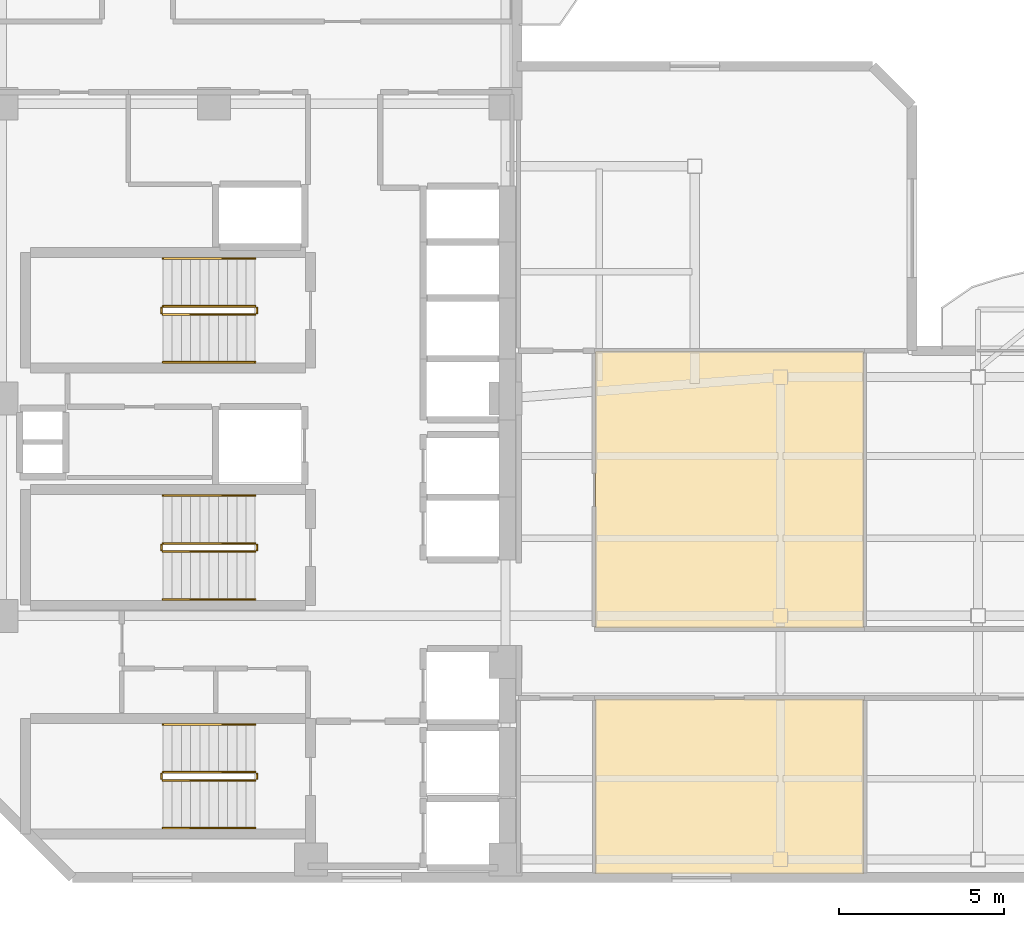
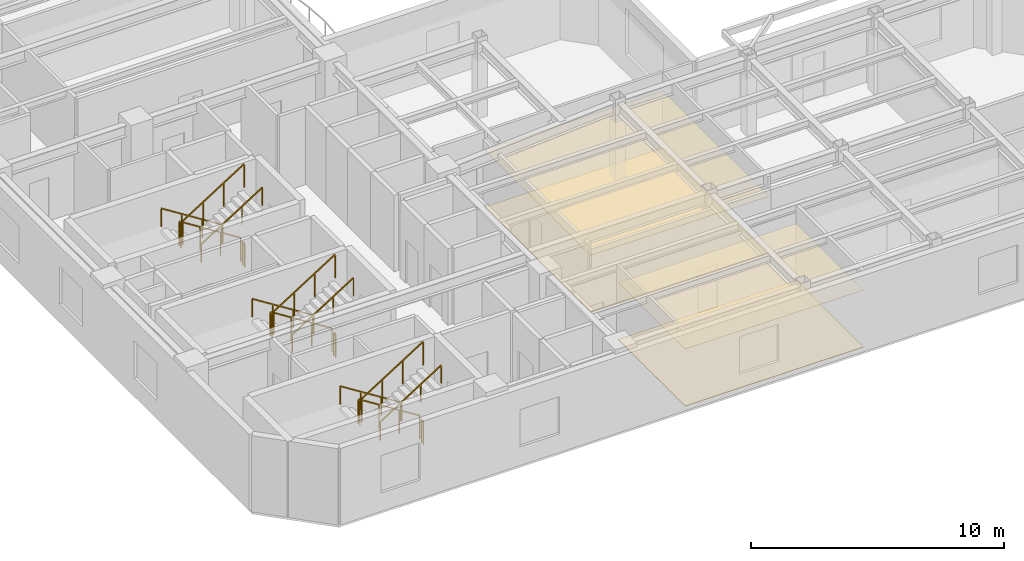
# One storey, part 7 of 9: 18 railings, 4 coverings.
"""IFC4 building model written with IfcOpenShell, lengths in metres."""

import ifcopenshell
import ifcopenshell.guid

model = None  # the IFC model being written
_history = None  # IfcOwnerHistory: only IFC2X3 demands one
_inside = {}  # id of a spatial element -> (the spatial element, [elements in it])
_under = {}  # id of a project, library or spatial element -> (it, [spatial elements below it])
_declared = {}  # id of a project -> (the project, [libraries it declares])
_typed = {}  # id of a type object -> (the type object, [elements of that type])
_made_of = {}  # id of a material, layer set ... -> (it, [elements and type objects made of it])


def new_model(schema):
    """Start an empty IFC model of exactly this schema.

    Asked for "IFC4X3", IfcOpenShell would pick the latest addendum, in which some entities
    have other attributes; the version numbers below select the first issue.
    IFC2X3 requires an IfcOwnerHistory on every rooted entity: one is made here for all.
    """
    global model, _history
    if schema == "IFC4X3":
        model = ifcopenshell.file(schema_version=(4, 3, 0, 0))
    else:
        model = ifcopenshell.file(schema=schema)
    _inside.clear()
    _under.clear()
    _declared.clear()
    _typed.clear()
    _made_of.clear()
    _history = None
    if model.schema == "IFC2X3":
        org = make("IfcOrganization", Name="unknown")
        user = make(
            "IfcPersonAndOrganization",
            ThePerson=make("IfcPerson", FamilyName="unknown"),
            TheOrganization=org,
        )
        app = make(
            "IfcApplication",
            ApplicationDeveloper=org,
            Version="unknown",
            ApplicationFullName="unknown",
            ApplicationIdentifier="unknown",
        )
        _history = make(
            "IfcOwnerHistory",
            OwningUser=user,
            OwningApplication=app,
            ChangeAction="ADDED",
            CreationDate=0,
        )
    return model


def make(cls, **values):
    """One entity of the class cls with the attributes given. An attribute that is None is left unset."""
    return model.create_entity(
        cls, **{name: value for name, value in values.items() if value is not None}
    )


def rooted(cls, **values):
    """An entity with a GlobalId (a new one), such as an element, a storey or a relation."""
    return make(cls, GlobalId=ifcopenshell.guid.new(), OwnerHistory=_history, **values)


def si_unit(unit_type, name, prefix=None):
    """IfcSIUnit, for example si_unit("LENGTHUNIT", "METRE", prefix="MILLI")."""
    return make("IfcSIUnit", UnitType=unit_type, Prefix=prefix, Name=name)


def assignment(units):
    """IfcUnitAssignment: the units of a project."""
    return None if units is None else make("IfcUnitAssignment", Units=units)


def point(xyz):
    """IfcCartesianPoint."""
    return None if xyz is None else make("IfcCartesianPoint", Coordinates=xyz)


def direction(xyz):
    """IfcDirection."""
    return None if xyz is None else make("IfcDirection", DirectionRatios=xyz)


def frame(location, z_axis=None, x_axis=None):
    """IfcAxis2Placement3D, a coordinate frame: its origin and axes. An axis left out is left unset."""
    return make(
        "IfcAxis2Placement3D",
        Location=point(location),
        Axis=direction(z_axis),
        RefDirection=direction(x_axis),
    )


def frame_2d(location, x_axis=None):
    """IfcAxis2Placement2D, a coordinate frame in the plane: its origin and x axis."""
    return make(
        "IfcAxis2Placement2D", Location=point(location), RefDirection=direction(x_axis)
    )


def origin():
    """The frame at (0, 0, 0) with its axes left unset."""
    return frame((0.0, 0.0, 0.0))


def origin_2d():
    """The frame at (0, 0) in the plane with its x axis left unset."""
    return frame_2d((0.0, 0.0))


def place(relative_to, where):
    """IfcLocalPlacement: puts the frame where relative to a parent placement (None: the world)."""
    return make(
        "IfcLocalPlacement", PlacementRelTo=relative_to, RelativePlacement=where
    )


def context(
    kind, dimensions, precision=None, world=None, true_north=None, identifier=None
):
    """IfcGeometricRepresentationContext, for example the 3D "Model" context."""
    return make(
        "IfcGeometricRepresentationContext",
        ContextIdentifier=identifier,
        ContextType=kind,
        CoordinateSpaceDimension=dimensions,
        Precision=precision,
        WorldCoordinateSystem=world,
        TrueNorth=true_north,
    )


def subcontext(parent, identifier, kind, view, scale=None):
    """IfcGeometricRepresentationSubContext, for example "Body" below "Model"."""
    return make(
        "IfcGeometricRepresentationSubContext",
        ContextIdentifier=identifier,
        ContextType=kind,
        ParentContext=parent,
        TargetScale=scale,
        TargetView=view,
    )


def project(units=None, contexts=None):
    """IfcProject with its units and contexts."""
    return rooted(
        "IfcProject",
        Name="project",
        RepresentationContexts=contexts,
        UnitsInContext=assignment(units),
    )


def spatial(cls, under=None, at=None, **own):
    """A site, building, storey or space (cls), placed at a placement, below another one or the project."""
    s = rooted(cls, ObjectPlacement=at, **own)
    if under is not None:
        _under.setdefault(under.id(), (under, []))[1].append(s)
    return s


def polyline(points):
    """IfcPolyline through the points."""
    return make("IfcPolyline", Points=[point(p) for p in points])


def profile(cls, at=None, kind="AREA", **sizes):
    """A parametric profile (cls). Its sizes go by their IFC names, for example OverallWidth=200.0."""
    return make(cls, ProfileType=kind, Position=at, **sizes)


def rectangle(**sizes):
    """IfcRectangleProfileDef."""
    return profile("IfcRectangleProfileDef", **sizes)


def outline(outer, holes=None, kind="AREA"):
    """IfcArbitraryClosedProfileDef: a profile drawn as a closed curve; with holes, ...WithVoids."""
    if holes is None:
        return make("IfcArbitraryClosedProfileDef", ProfileType=kind, OuterCurve=outer)
    return make(
        "IfcArbitraryProfileDefWithVoids",
        ProfileType=kind,
        OuterCurve=outer,
        InnerCurves=holes,
    )


def extrude(swept, where, along, depth):
    """IfcExtrudedAreaSolid: the profile swept, set in the frame where, extruded along a direction by depth."""
    return make(
        "IfcExtrudedAreaSolid",
        SweptArea=swept,
        Position=where,
        ExtrudedDirection=direction(along),
        Depth=depth,
    )


def shape(context_of_items, identifier, shape_type, items):
    """IfcShapeRepresentation: the items that make up one representation, for example the "Body"."""
    return make(
        "IfcShapeRepresentation",
        ContextOfItems=context_of_items,
        RepresentationIdentifier=identifier,
        RepresentationType=shape_type,
        Items=items,
    )


def material(Name=None, Category=None):
    """IfcMaterial."""
    return make("IfcMaterial", Name=Name, Category=Category)


def layer(
    of_material, thickness, ventilated=None, Name=None, Category=None, Priority=None
):
    """IfcMaterialLayer: one layer of a wall or slab, of a material (None: an air gap)."""
    return make(
        "IfcMaterialLayer",
        Material=of_material,
        LayerThickness=thickness,
        IsVentilated=ventilated,
        Name=Name,
        Category=Category,
        Priority=Priority,
    )


def layer_set(layers, Name=None):
    """IfcMaterialLayerSet."""
    return make("IfcMaterialLayerSet", MaterialLayers=layers, LayerSetName=Name)


def made_of(thing, what):
    """Note that an element or type object is made of a material, layer set ...; save() writes the relation."""
    if what is not None:
        _made_of.setdefault(what.id(), (what, []))[1].append(thing)
    return thing


def type_object(cls, material=None, **own):
    """A type object (cls), such as IfcWallType, which elements share."""
    return made_of(rooted(cls, **own), material)


def element(
    cls,
    number,
    at=None,
    inside=None,
    cuts=None,
    type_object=None,
    material=None,
    context=None,
    identifier="Body",
    shape_type=None,
    held_by="IfcProductDefinitionShape",
    body=None,
    shapes=None,
    **own,
):
    """One element of the class cls, such as IfcWall. Its Tag is "e" and its number.

    at: its placement. inside: the storey or other place that contains it. cuts: it is an
    opening in that element (IfcRelVoidsElement). A single representation is given by context,
    identifier, shape_type and body (its items); several are given by shapes. held_by: the class
    of the entity that holds the representations. save() writes the other relations.
    """
    e = rooted(cls, Tag="e%d" % number, ObjectPlacement=at, **own)
    if body is not None:
        shapes = [shape(context, identifier, shape_type, body)]
    if shapes is not None:
        e.Representation = make(held_by, Representations=shapes)
    if inside is not None:
        _inside.setdefault(inside.id(), (inside, []))[1].append(e)
    if cuts is not None:
        rooted(
            "IfcRelVoidsElement", RelatingBuildingElement=cuts, RelatedOpeningElement=e
        )
    if type_object is not None:
        _typed.setdefault(type_object.id(), (type_object, []))[1].append(e)
    return made_of(e, material)


def aggregate(whole, parts):
    """IfcRelAggregates: a whole, such as a stair, and the parts it consists of."""
    return rooted("IfcRelAggregates", RelatingObject=whole, RelatedObjects=parts)


def save(model, path):
    """Write the relations noted so far, then the file.

    IfcRelAggregates (storeys below a building ...), IfcRelContainedInSpatialStructure (elements
    in a storey), IfcRelDefinesByType, IfcRelAssociatesMaterial and IfcRelDeclares: one each for
    every whole, place, type object, material and project.
    """
    for whole, parts in _under.values():
        aggregate(whole, parts)
    for where, things in _inside.values():
        rooted(
            "IfcRelContainedInSpatialStructure",
            RelatedElements=things,
            RelatingStructure=where,
        )
    for kind, things in _typed.values():
        rooted("IfcRelDefinesByType", RelatedObjects=things, RelatingType=kind)
    for what, things in _made_of.values():
        rooted("IfcRelAssociatesMaterial", RelatedObjects=things, RelatingMaterial=what)
    for by, libraries in _declared.values():
        rooted("IfcRelDeclares", RelatingContext=by, RelatedDefinitions=libraries)
    model.write(path)


model = new_model("IFC4")

# Units and contexts
model_context = context("Model", 3, precision=1e-05, world=origin(), true_north=direction((0.0, 1.0)))
body_context = subcontext(model_context, "Body", "Model", "MODEL_VIEW")
ifc_project = project(units=[si_unit("LENGTHUNIT", "METRE"), si_unit("AREAUNIT", "SQUARE_METRE"), si_unit("VOLUMEUNIT", "CUBIC_METRE"), si_unit("PLANEANGLEUNIT", "RADIAN"), si_unit("MASSUNIT", "GRAM", prefix="KILO")], contexts=[model_context])

# Site, building, storey
site_placement = place(None, origin())
site = spatial("IfcSite", under=ifc_project, at=site_placement, CompositionType="ELEMENT")
building_placement = place(site_placement, origin())
building = spatial("IfcBuilding", under=site, at=building_placement, Name="Mawjaban Terraces University", CompositionType="ELEMENT")
storey_placement = place(building_placement, frame((0.0, 0.0, 175.800048828125)))
storey = spatial("IfcBuildingStorey", under=building, at=storey_placement, Name="L42", CompositionType="ELEMENT", Elevation=175.800048828125)

# Coverings
ifc_material_1 = material(Name="Acoustic mineral fibre ceiling tile", Category="masonry")
ifc_layer_1 = layer(ifc_material_1, 0.02001953125)
ifc_layer_set_1 = layer_set([ifc_layer_1], Name="Acoustic mineral fibre ceiling tile")
covering_type_1 = type_object("IfcCoveringType", Name="AcousticMineralCeiling_20", PredefinedType="CEILING", material=ifc_layer_set_1)
covering_1_placement = place(storey_placement, frame((0.0, 0.0, 2.75)))
element("IfcCovering", 1, at=covering_1_placement, inside=storey, type_object=covering_type_1, Name="L42 Seminar Room 2 Acoustic Ceiling", PredefinedType="CEILING", context=body_context, shape_type="SweptSolid", body=[
    extrude(outline(polyline([(40.3798828125, 0.114990234375), (48.52001953125, 0.114990234375), (48.52001953125, 5.419921875), (40.3798828125, 5.419921875), (40.3798828125, 0.114990234375)])), origin(), (0.0, 0.0, 1.0), 0.02001953125),
])
covering_2_placement = place(storey_placement, frame((0.0, 0.0, 2.75)))
element("IfcCovering", 2, at=covering_2_placement, inside=storey, type_object=covering_type_1, Name="L42 Classroom 3 Acoustic Ceiling", PredefinedType="CEILING", context=body_context, shape_type="SweptSolid", body=[
    extrude(outline(polyline([(48.52001953125, 7.580078125), (48.52001953125, 15.969970703125), (40.3798828125, 15.969970703125), (40.3798828125, 7.580078125), (48.52001953125, 7.580078125)])), origin(), (0.0, 0.0, 1.0), 0.02001953125),
])

# Railings
ifc_material_2 = material(Name="Brushed stainless steel 316", Category="steel")
railing_type_1 = type_object("IfcRailingType", Name="StairWallHandrail_900", PredefinedType="HANDRAIL", material=ifc_material_2)
railing_1_placement = place(storey_placement, frame((30.050048828125, 4.64990234375, 0.17724609375)))
element("IfcRailing", 3, at=railing_1_placement, inside=storey, type_object=railing_type_1, Name="L42 ST-1 stair handrail 1", PredefinedType="HANDRAIL", context=body_context, shape_type="SweptSolid", body=[
    extrude(rectangle(XDim=0.048095703125, YDim=0.048095703125, at=origin_2d()), frame((0.0, 0.0, 0.8759765625), z_axis=(-0.844908973607, 0.0, 0.534910110503), x_axis=(0.0, -1.0, 0.0)), (0.0, 0.0, 1.0), 3.31396484375),
    extrude(rectangle(XDim=0.0419921875, YDim=0.0419921875, at=origin_2d()), origin(), (0.0, 0.0, 1.0), 0.851806640625),
    extrude(rectangle(XDim=0.0419921875, YDim=0.0419921875, at=origin_2d()), frame((-0.933349609375, 0.0, 0.5908203125)), (0.0, 0.0, 1.0), 0.851806640625),
    extrude(rectangle(XDim=0.0419921875, YDim=0.0419921875, at=origin_2d()), frame((-1.86669921875, 0.0, 1.181884765625)), (0.0, 0.0, 1.0), 0.851806640625),
    extrude(rectangle(XDim=0.0419921875, YDim=0.0419921875, at=origin_2d()), frame((-2.800048828125, 0.0, 1.772705078125)), (0.0, 0.0, 1.0), 0.851806640625),
])
railing_2_placement = place(storey_placement, frame((27.25, 1.5, 2.127197265625)))
element("IfcRailing", 4, at=railing_2_placement, inside=storey, type_object=railing_type_1, Name="L42 ST-1 stair handrail 2", PredefinedType="HANDRAIL", context=body_context, shape_type="SweptSolid", body=[
    extrude(rectangle(XDim=0.048095703125, YDim=0.048095703125, at=origin_2d()), frame((0.0, 0.0, 0.8759765625), z_axis=(0.844908973607, 0.0, 0.534910110503), x_axis=(0.0, 1.0, 0.0)), (0.0, 0.0, 1.0), 3.31396484375),
    extrude(rectangle(XDim=0.0419921875, YDim=0.0419921875, at=origin_2d()), origin(), (0.0, 0.0, 1.0), 0.851806640625),
    extrude(rectangle(XDim=0.0419921875, YDim=0.0419921875, at=origin_2d()), frame((0.933349609375, 0.0, 0.5908203125)), (0.0, 0.0, 1.0), 0.851806640625),
    extrude(rectangle(XDim=0.0419921875, YDim=0.0419921875, at=origin_2d()), frame((1.86669921875, 0.0, 1.181884765625)), (0.0, 0.0, 1.0), 0.851806640625),
    extrude(rectangle(XDim=0.0419921875, YDim=0.0419921875, at=origin_2d()), frame((2.800048828125, 0.0, 1.772705078125)), (0.0, 0.0, 1.0), 0.851806640625),
])
railing_3_placement = place(storey_placement, frame((30.050048828125, 18.800048828125, 0.17724609375)))
element("IfcRailing", 5, at=railing_3_placement, inside=storey, type_object=railing_type_1, Name="L42 ST-2 stair handrail 1", PredefinedType="HANDRAIL", context=body_context, shape_type="SweptSolid", body=[
    extrude(rectangle(XDim=0.048095703125, YDim=0.048095703125, at=origin_2d()), frame((0.0, 0.0, 0.8759765625), z_axis=(-0.844908973607, 0.0, 0.534910110503), x_axis=(0.0, -1.0, 0.0)), (0.0, 0.0, 1.0), 3.31396484375),
    extrude(rectangle(XDim=0.0419921875, YDim=0.0419921875, at=origin_2d()), origin(), (0.0, 0.0, 1.0), 0.851806640625),
    extrude(rectangle(XDim=0.0419921875, YDim=0.0419921875, at=origin_2d()), frame((-0.933349609375, 0.0, 0.5908203125)), (0.0, 0.0, 1.0), 0.851806640625),
    extrude(rectangle(XDim=0.0419921875, YDim=0.0419921875, at=origin_2d()), frame((-1.86669921875, 0.0, 1.181884765625)), (0.0, 0.0, 1.0), 0.851806640625),
    extrude(rectangle(XDim=0.0419921875, YDim=0.0419921875, at=origin_2d()), frame((-2.800048828125, 0.0, 1.772705078125)), (0.0, 0.0, 1.0), 0.851806640625),
])
railing_4_placement = place(storey_placement, frame((27.25, 15.64990234375, 2.127197265625)))
element("IfcRailing", 6, at=railing_4_placement, inside=storey, type_object=railing_type_1, Name="L42 ST-2 stair handrail 2", PredefinedType="HANDRAIL", context=body_context, shape_type="SweptSolid", body=[
    extrude(rectangle(XDim=0.048095703125, YDim=0.048095703125, at=origin_2d()), frame((0.0, 0.0, 0.8759765625), z_axis=(0.844908973607, 0.0, 0.534910110503), x_axis=(0.0, 1.0, 0.0)), (0.0, 0.0, 1.0), 3.31396484375),
    extrude(rectangle(XDim=0.0419921875, YDim=0.0419921875, at=origin_2d()), origin(), (0.0, 0.0, 1.0), 0.851806640625),
    extrude(rectangle(XDim=0.0419921875, YDim=0.0419921875, at=origin_2d()), frame((0.933349609375, 0.0, 0.5908203125)), (0.0, 0.0, 1.0), 0.851806640625),
    extrude(rectangle(XDim=0.0419921875, YDim=0.0419921875, at=origin_2d()), frame((1.86669921875, 0.0, 1.181884765625)), (0.0, 0.0, 1.0), 0.851806640625),
    extrude(rectangle(XDim=0.0419921875, YDim=0.0419921875, at=origin_2d()), frame((2.800048828125, 0.0, 1.772705078125)), (0.0, 0.0, 1.0), 0.851806640625),
])
railing_5_placement = place(storey_placement, frame((30.050048828125, 11.60009765625, 0.17724609375)))
element("IfcRailing", 7, at=railing_5_placement, inside=storey, type_object=railing_type_1, Name="L42 ST-3 stair handrail 1", PredefinedType="HANDRAIL", context=body_context, shape_type="SweptSolid", body=[
    extrude(rectangle(XDim=0.048095703125, YDim=0.048095703125, at=origin_2d()), frame((0.0, 0.0, 0.8759765625), z_axis=(-0.844908973607, 0.0, 0.534910110503), x_axis=(0.0, -1.0, 0.0)), (0.0, 0.0, 1.0), 3.31396484375),
    extrude(rectangle(XDim=0.0419921875, YDim=0.0419921875, at=origin_2d()), origin(), (0.0, 0.0, 1.0), 0.851806640625),
    extrude(rectangle(XDim=0.0419921875, YDim=0.0419921875, at=origin_2d()), frame((-0.933349609375, 0.0, 0.5908203125)), (0.0, 0.0, 1.0), 0.851806640625),
    extrude(rectangle(XDim=0.0419921875, YDim=0.0419921875, at=origin_2d()), frame((-1.86669921875, 0.0, 1.181884765625)), (0.0, 0.0, 1.0), 0.851806640625),
    extrude(rectangle(XDim=0.0419921875, YDim=0.0419921875, at=origin_2d()), frame((-2.800048828125, 0.0, 1.772705078125)), (0.0, 0.0, 1.0), 0.851806640625),
])
railing_6_placement = place(storey_placement, frame((27.25, 8.449951171875, 2.127197265625)))
element("IfcRailing", 8, at=railing_6_placement, inside=storey, type_object=railing_type_1, Name="L42 ST-3 stair handrail 2", PredefinedType="HANDRAIL", context=body_context, shape_type="SweptSolid", body=[
    extrude(rectangle(XDim=0.048095703125, YDim=0.048095703125, at=origin_2d()), frame((0.0, 0.0, 0.8759765625), z_axis=(0.844908973607, 0.0, 0.534910110503), x_axis=(0.0, 1.0, 0.0)), (0.0, 0.0, 1.0), 3.31396484375),
    extrude(rectangle(XDim=0.0419921875, YDim=0.0419921875, at=origin_2d()), origin(), (0.0, 0.0, 1.0), 0.851806640625),
    extrude(rectangle(XDim=0.0419921875, YDim=0.0419921875, at=origin_2d()), frame((0.933349609375, 0.0, 0.5908203125)), (0.0, 0.0, 1.0), 0.851806640625),
    extrude(rectangle(XDim=0.0419921875, YDim=0.0419921875, at=origin_2d()), frame((1.86669921875, 0.0, 1.181884765625)), (0.0, 0.0, 1.0), 0.851806640625),
    extrude(rectangle(XDim=0.0419921875, YDim=0.0419921875, at=origin_2d()), frame((2.800048828125, 0.0, 1.772705078125)), (0.0, 0.0, 1.0), 0.851806640625),
])
ifc_material_3 = material(Name="Galvanised painted steel S355", Category="steel")
railing_type_2 = type_object("IfcRailingType", Name="StairWellGuard_1150", PredefinedType="BALUSTRADE", material=ifc_material_3)
railing_7_placement = place(storey_placement, frame((30.050048828125, 3.199951171875, 0.17724609375)))
element("IfcRailing", 9, at=railing_7_placement, inside=storey, type_object=railing_type_2, Name="L42 ST-1 stair guard 1", PredefinedType="BALUSTRADE", context=body_context, shape_type="SweptSolid", body=[
    extrude(rectangle(XDim=0.048095703125, YDim=0.048095703125, at=origin_2d()), frame((0.0, 0.0, 1.1259765625), z_axis=(-0.844908973607, 0.0, 0.534910110503), x_axis=(0.0, -1.0, 0.0)), (0.0, 0.0, 1.0), 3.31396484375),
    extrude(rectangle(XDim=0.0419921875, YDim=0.0419921875, at=origin_2d()), origin(), (0.0, 0.0, 1.0), 1.101806640625),
    extrude(rectangle(XDim=0.0419921875, YDim=0.0419921875, at=origin_2d()), frame((-0.933349609375, 0.0, 0.5908203125)), (0.0, 0.0, 1.0), 1.101806640625),
    extrude(rectangle(XDim=0.0419921875, YDim=0.0419921875, at=origin_2d()), frame((-1.86669921875, 0.0, 1.181884765625)), (0.0, 0.0, 1.0), 1.101806640625),
    extrude(rectangle(XDim=0.0419921875, YDim=0.0419921875, at=origin_2d()), frame((-2.800048828125, 0.0, 1.772705078125)), (0.0, 0.0, 1.0), 1.101806640625),
])
railing_8_placement = place(storey_placement, frame((27.199951171875, 3.14990234375, 1.949951171875)))
element("IfcRailing", 10, at=railing_8_placement, inside=storey, type_object=railing_type_2, Name="L42 ST-1 stair guard 2", PredefinedType="BALUSTRADE", context=body_context, shape_type="SweptSolid", body=[
    extrude(rectangle(XDim=0.048095703125, YDim=0.048095703125, at=origin_2d()), frame((0.0, 0.0, 1.1259765625), z_axis=(0.0, -1.0, 0.0), x_axis=(1.0, 0.0, 0.0)), (0.0, 0.0, 1.0), 0.14990234375),
    extrude(rectangle(XDim=0.0419921875, YDim=0.0419921875, at=origin_2d()), origin(), (0.0, 0.0, 1.0), 1.101806640625),
    extrude(rectangle(XDim=0.0419921875, YDim=0.0419921875, at=origin_2d()), frame((0.0, -0.14990234375, 0.0)), (0.0, 0.0, 1.0), 1.101806640625),
])
railing_9_placement = place(storey_placement, frame((27.25, 2.949951171875, 2.127197265625)))
element("IfcRailing", 11, at=railing_9_placement, inside=storey, type_object=railing_type_2, Name="L42 ST-1 stair guard 3", PredefinedType="BALUSTRADE", context=body_context, shape_type="SweptSolid", body=[
    extrude(rectangle(XDim=0.048095703125, YDim=0.048095703125, at=origin_2d()), frame((0.0, 0.0, 1.1259765625), z_axis=(0.844908973607, 0.0, 0.534910110503), x_axis=(0.0, 1.0, 0.0)), (0.0, 0.0, 1.0), 3.31396484375),
    extrude(rectangle(XDim=0.0419921875, YDim=0.0419921875, at=origin_2d()), origin(), (0.0, 0.0, 1.0), 1.101806640625),
    extrude(rectangle(XDim=0.0419921875, YDim=0.0419921875, at=origin_2d()), frame((0.933349609375, 0.0, 0.5908203125)), (0.0, 0.0, 1.0), 1.101806640625),
    extrude(rectangle(XDim=0.0419921875, YDim=0.0419921875, at=origin_2d()), frame((1.86669921875, 0.0, 1.181884765625)), (0.0, 0.0, 1.0), 1.101806640625),
    extrude(rectangle(XDim=0.0419921875, YDim=0.0419921875, at=origin_2d()), frame((2.800048828125, 0.0, 1.772705078125)), (0.0, 0.0, 1.0), 1.101806640625),
])
railing_10_placement = place(storey_placement, frame((30.10009765625, 3.14990234375, 0.0)))
element("IfcRailing", 12, at=railing_10_placement, inside=storey, type_object=railing_type_2, Name="L42 ST-1 stair guard 4", PredefinedType="BALUSTRADE", context=body_context, shape_type="SweptSolid", body=[
    extrude(rectangle(XDim=0.048095703125, YDim=0.048095703125, at=origin_2d()), frame((0.0, 0.0, 1.1259765625), z_axis=(0.0, -1.0, 0.0), x_axis=(1.0, 0.0, 0.0)), (0.0, 0.0, 1.0), 0.14990234375),
    extrude(rectangle(XDim=0.0419921875, YDim=0.0419921875, at=origin_2d()), origin(), (0.0, 0.0, 1.0), 1.101806640625),
    extrude(rectangle(XDim=0.0419921875, YDim=0.0419921875, at=origin_2d()), frame((0.0, -0.14990234375, 0.0)), (0.0, 0.0, 1.0), 1.101806640625),
])
railing_11_placement = place(storey_placement, frame((30.050048828125, 17.35009765625, 0.17724609375)))
element("IfcRailing", 13, at=railing_11_placement, inside=storey, type_object=railing_type_2, Name="L42 ST-2 stair guard 1", PredefinedType="BALUSTRADE", context=body_context, shape_type="SweptSolid", body=[
    extrude(rectangle(XDim=0.048095703125, YDim=0.048095703125, at=origin_2d()), frame((0.0, 0.0, 1.1259765625), z_axis=(-0.844908973607, 0.0, 0.534910110503), x_axis=(0.0, -1.0, 0.0)), (0.0, 0.0, 1.0), 3.31396484375),
    extrude(rectangle(XDim=0.0419921875, YDim=0.0419921875, at=origin_2d()), origin(), (0.0, 0.0, 1.0), 1.101806640625),
    extrude(rectangle(XDim=0.0419921875, YDim=0.0419921875, at=origin_2d()), frame((-0.933349609375, 0.0, 0.5908203125)), (0.0, 0.0, 1.0), 1.101806640625),
    extrude(rectangle(XDim=0.0419921875, YDim=0.0419921875, at=origin_2d()), frame((-1.86669921875, 0.0, 1.181884765625)), (0.0, 0.0, 1.0), 1.101806640625),
    extrude(rectangle(XDim=0.0419921875, YDim=0.0419921875, at=origin_2d()), frame((-2.800048828125, 0.0, 1.772705078125)), (0.0, 0.0, 1.0), 1.101806640625),
])
railing_12_placement = place(storey_placement, frame((27.199951171875, 17.300048828125, 1.949951171875)))
element("IfcRailing", 14, at=railing_12_placement, inside=storey, type_object=railing_type_2, Name="L42 ST-2 stair guard 2", PredefinedType="BALUSTRADE", context=body_context, shape_type="SweptSolid", body=[
    extrude(rectangle(XDim=0.048095703125, YDim=0.048095703125, at=origin_2d()), frame((0.0, 0.0, 1.1259765625), z_axis=(0.0, -1.0, 0.0), x_axis=(1.0, 0.0, 0.0)), (0.0, 0.0, 1.0), 0.150146484375),
    extrude(rectangle(XDim=0.0419921875, YDim=0.0419921875, at=origin_2d()), origin(), (0.0, 0.0, 1.0), 1.101806640625),
    extrude(rectangle(XDim=0.0419921875, YDim=0.0419921875, at=origin_2d()), frame((0.0, -0.150146484375, 0.0)), (0.0, 0.0, 1.0), 1.101806640625),
])
railing_13_placement = place(storey_placement, frame((27.25, 17.10009765625, 2.127197265625)))
element("IfcRailing", 15, at=railing_13_placement, inside=storey, type_object=railing_type_2, Name="L42 ST-2 stair guard 3", PredefinedType="BALUSTRADE", context=body_context, shape_type="SweptSolid", body=[
    extrude(rectangle(XDim=0.048095703125, YDim=0.048095703125, at=origin_2d()), frame((0.0, 0.0, 1.1259765625), z_axis=(0.844908973607, 0.0, 0.534910110503), x_axis=(0.0, 1.0, 0.0)), (0.0, 0.0, 1.0), 3.31396484375),
    extrude(rectangle(XDim=0.0419921875, YDim=0.0419921875, at=origin_2d()), origin(), (0.0, 0.0, 1.0), 1.101806640625),
    extrude(rectangle(XDim=0.0419921875, YDim=0.0419921875, at=origin_2d()), frame((0.933349609375, 0.0, 0.5908203125)), (0.0, 0.0, 1.0), 1.101806640625),
    extrude(rectangle(XDim=0.0419921875, YDim=0.0419921875, at=origin_2d()), frame((1.86669921875, 0.0, 1.181884765625)), (0.0, 0.0, 1.0), 1.101806640625),
    extrude(rectangle(XDim=0.0419921875, YDim=0.0419921875, at=origin_2d()), frame((2.800048828125, 0.0, 1.772705078125)), (0.0, 0.0, 1.0), 1.101806640625),
])
railing_14_placement = place(storey_placement, frame((30.10009765625, 17.300048828125, 0.0)))
element("IfcRailing", 16, at=railing_14_placement, inside=storey, type_object=railing_type_2, Name="L42 ST-2 stair guard 4", PredefinedType="BALUSTRADE", context=body_context, shape_type="SweptSolid", body=[
    extrude(rectangle(XDim=0.048095703125, YDim=0.048095703125, at=origin_2d()), frame((0.0, 0.0, 1.1259765625), z_axis=(0.0, -1.0, 0.0), x_axis=(1.0, 0.0, 0.0)), (0.0, 0.0, 1.0), 0.150146484375),
    extrude(rectangle(XDim=0.0419921875, YDim=0.0419921875, at=origin_2d()), origin(), (0.0, 0.0, 1.0), 1.101806640625),
    extrude(rectangle(XDim=0.0419921875, YDim=0.0419921875, at=origin_2d()), frame((0.0, -0.150146484375, 0.0)), (0.0, 0.0, 1.0), 1.101806640625),
])
railing_15_placement = place(storey_placement, frame((30.050048828125, 10.14990234375, 0.17724609375)))
element("IfcRailing", 17, at=railing_15_placement, inside=storey, type_object=railing_type_2, Name="L42 ST-3 stair guard 1", PredefinedType="BALUSTRADE", context=body_context, shape_type="SweptSolid", body=[
    extrude(rectangle(XDim=0.048095703125, YDim=0.048095703125, at=origin_2d()), frame((0.0, 0.0, 1.1259765625), z_axis=(-0.844908973607, 0.0, 0.534910110503), x_axis=(0.0, -1.0, 0.0)), (0.0, 0.0, 1.0), 3.31396484375),
    extrude(rectangle(XDim=0.0419921875, YDim=0.0419921875, at=origin_2d()), origin(), (0.0, 0.0, 1.0), 1.101806640625),
    extrude(rectangle(XDim=0.0419921875, YDim=0.0419921875, at=origin_2d()), frame((-0.933349609375, 0.0, 0.5908203125)), (0.0, 0.0, 1.0), 1.101806640625),
    extrude(rectangle(XDim=0.0419921875, YDim=0.0419921875, at=origin_2d()), frame((-1.86669921875, 0.0, 1.181884765625)), (0.0, 0.0, 1.0), 1.101806640625),
    extrude(rectangle(XDim=0.0419921875, YDim=0.0419921875, at=origin_2d()), frame((-2.800048828125, 0.0, 1.772705078125)), (0.0, 0.0, 1.0), 1.101806640625),
])
railing_16_placement = place(storey_placement, frame((27.199951171875, 10.10009765625, 1.949951171875)))
element("IfcRailing", 18, at=railing_16_placement, inside=storey, type_object=railing_type_2, Name="L42 ST-3 stair guard 2", PredefinedType="BALUSTRADE", context=body_context, shape_type="SweptSolid", body=[
    extrude(rectangle(XDim=0.048095703125, YDim=0.048095703125, at=origin_2d()), frame((0.0, 0.0, 1.1259765625), z_axis=(0.0, -1.0, 0.0), x_axis=(1.0, 0.0, 0.0)), (0.0, 0.0, 1.0), 0.150146484375),
    extrude(rectangle(XDim=0.0419921875, YDim=0.0419921875, at=origin_2d()), origin(), (0.0, 0.0, 1.0), 1.101806640625),
    extrude(rectangle(XDim=0.0419921875, YDim=0.0419921875, at=origin_2d()), frame((0.0, -0.150146484375, 0.0)), (0.0, 0.0, 1.0), 1.101806640625),
])
railing_17_placement = place(storey_placement, frame((27.25, 9.89990234375, 2.127197265625)))
element("IfcRailing", 19, at=railing_17_placement, inside=storey, type_object=railing_type_2, Name="L42 ST-3 stair guard 3", PredefinedType="BALUSTRADE", context=body_context, shape_type="SweptSolid", body=[
    extrude(rectangle(XDim=0.048095703125, YDim=0.048095703125, at=origin_2d()), frame((0.0, 0.0, 1.1259765625), z_axis=(0.844908973607, 0.0, 0.534910110503), x_axis=(0.0, 1.0, 0.0)), (0.0, 0.0, 1.0), 3.31396484375),
    extrude(rectangle(XDim=0.0419921875, YDim=0.0419921875, at=origin_2d()), origin(), (0.0, 0.0, 1.0), 1.101806640625),
    extrude(rectangle(XDim=0.0419921875, YDim=0.0419921875, at=origin_2d()), frame((0.933349609375, 0.0, 0.5908203125)), (0.0, 0.0, 1.0), 1.101806640625),
    extrude(rectangle(XDim=0.0419921875, YDim=0.0419921875, at=origin_2d()), frame((1.86669921875, 0.0, 1.181884765625)), (0.0, 0.0, 1.0), 1.101806640625),
    extrude(rectangle(XDim=0.0419921875, YDim=0.0419921875, at=origin_2d()), frame((2.800048828125, 0.0, 1.772705078125)), (0.0, 0.0, 1.0), 1.101806640625),
])
railing_18_placement = place(storey_placement, frame((30.10009765625, 10.10009765625, 0.0)))
element("IfcRailing", 20, at=railing_18_placement, inside=storey, type_object=railing_type_2, Name="L42 ST-3 stair guard 4", PredefinedType="BALUSTRADE", context=body_context, shape_type="SweptSolid", body=[
    extrude(rectangle(XDim=0.048095703125, YDim=0.048095703125, at=origin_2d()), frame((0.0, 0.0, 1.1259765625), z_axis=(0.0, -1.0, 0.0), x_axis=(1.0, 0.0, 0.0)), (0.0, 0.0, 1.0), 0.150146484375),
    extrude(rectangle(XDim=0.0419921875, YDim=0.0419921875, at=origin_2d()), origin(), (0.0, 0.0, 1.0), 1.101806640625),
    extrude(rectangle(XDim=0.0419921875, YDim=0.0419921875, at=origin_2d()), frame((0.0, -0.150146484375, 0.0)), (0.0, 0.0, 1.0), 1.101806640625),
])

# Coverings
ifc_material_4 = material(Name="Polished Hijazi granite terrazzo flooring", Category="masonry")
ifc_layer_2 = layer(ifc_material_4, 0.02490234375)
ifc_layer_set_2 = layer_set([ifc_layer_2], Name="Polished Hijazi granite terrazzo flooring")
covering_type_2 = type_object("IfcCoveringType", Name="TerrazzoConcourseFlooring_25", PredefinedType="FLOORING", material=ifc_layer_set_2)
covering_3_placement = place(storey_placement, origin())
element("IfcCovering", 21, at=covering_3_placement, inside=storey, type_object=covering_type_2, Name="L42 Seminar Room 2 Terrazzo Flooring", PredefinedType="FLOORING", context=body_context, shape_type="SweptSolid", body=[
    extrude(outline(polyline([(40.3798828125, 0.114990234375), (48.52001953125, 0.114990234375), (48.52001953125, 5.419921875), (40.3798828125, 5.419921875), (40.3798828125, 0.114990234375)])), origin(), (0.0, 0.0, 1.0), 0.02490234375),
])
covering_4_placement = place(storey_placement, origin())
element("IfcCovering", 22, at=covering_4_placement, inside=storey, type_object=covering_type_2, Name="L42 Classroom 3 Terrazzo Flooring", PredefinedType="FLOORING", context=body_context, shape_type="SweptSolid", body=[
    extrude(outline(polyline([(48.52001953125, 7.580078125), (48.52001953125, 15.969970703125), (40.3798828125, 15.969970703125), (40.3798828125, 7.580078125), (48.52001953125, 7.580078125)])), origin(), (0.0, 0.0, 1.0), 0.02490234375),
])

save(model, "model.ifc")
